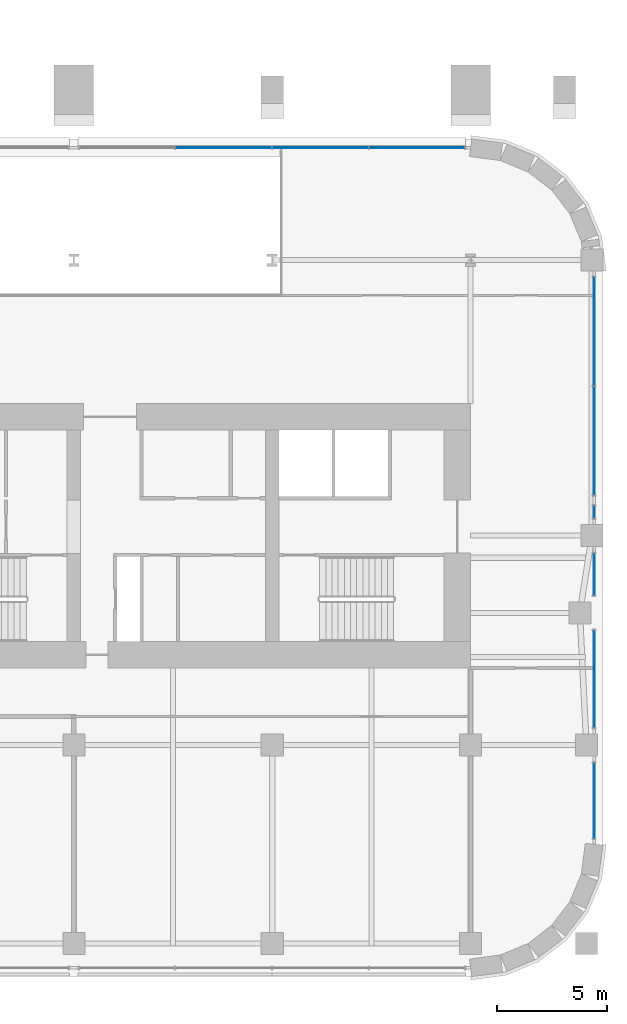
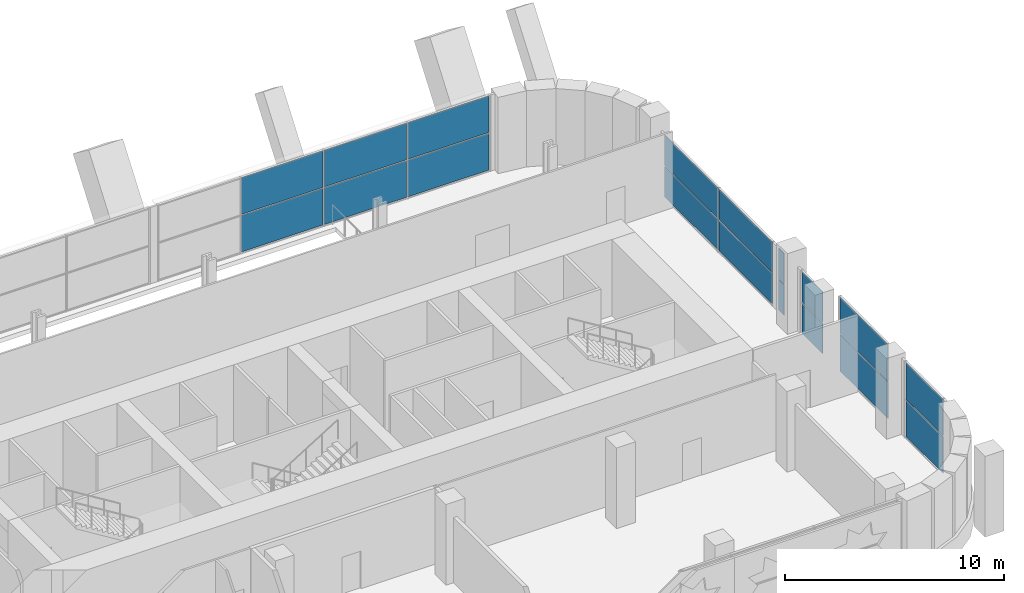
# One storey, part 12 of 21: 18 plates, 6 elements without a shape of their own.
"""IFC4 building model written with IfcOpenShell, lengths in metres."""

from ifc_helpers import new_model, si_unit, direction, frame, origin, origin_2d, place, context, subcontext, project, spatial, rectangle, extrude, material, layer, layer_set, type_object, element, aggregate, save


model = new_model("IFC4")

# Units and contexts
model_context = context("Model", 3, precision=1e-05, world=origin(), true_north=direction((0.0, 1.0)))
body_context = subcontext(model_context, "Body", "Model", "MODEL_VIEW")
ifc_project = project(units=[si_unit("LENGTHUNIT", "METRE"), si_unit("AREAUNIT", "SQUARE_METRE"), si_unit("VOLUMEUNIT", "CUBIC_METRE"), si_unit("PLANEANGLEUNIT", "RADIAN"), si_unit("MASSUNIT", "GRAM", prefix="KILO")], contexts=[model_context])

# Site, building, storey
site_placement = place(None, origin())
site = spatial("IfcSite", under=ifc_project, at=site_placement, CompositionType="ELEMENT")
building_placement = place(site_placement, origin())
building = spatial("IfcBuilding", under=site, at=building_placement, Name="Zellij Exchange Tower", CompositionType="ELEMENT")
storey_placement = place(building_placement, frame((0.0, 0.0, 43.5)))
storey = spatial("IfcBuildingStorey", under=building, at=storey_placement, Name="L07", CompositionType="ELEMENT", Elevation=43.5)

# Curtain wall, plates
ifc_material_1 = material(Name="Aluminium frame, clear insulating glass", Category="aluminium")
curtain_wall_type = type_object("IfcCurtainWallType", Name="ENV-CW1 Sky-garden glazing", PredefinedType="NOTDEFINED", material=ifc_material_1)
curtain_wall_1_placement = place(storey_placement, origin())
curtain_wall_1 = element("IfcCurtainWall", 1, at=curtain_wall_1_placement, inside=storey, type_object=curtain_wall_type, Name="cw.L07.07a", PredefinedType="NOTDEFINED")
ifc_material_2 = material(Name="Insulating glass unit, clear", Category="glass")
ifc_layer = layer(ifc_material_2, 0.031982421875)
ifc_layer_set = layer_set([ifc_layer], Name="Insulating glass unit, clear")
plate_type = type_object("IfcPlateType", Name="ENV-CW1P Glazed panel 32", PredefinedType="CURTAIN_PANEL", material=ifc_layer_set)
plate_1_placement = place(storey_placement, frame((32.60009765625, -20.011962890625, 0.06005859375), z_axis=(0.0, 0.0, 1.0), x_axis=(0.0, 1.0, 0.0)))
plate_1 = element("IfcPlate", 2, at=plate_1_placement, type_object=plate_type, Name="CW1 panel 1.1", PredefinedType="CURTAIN_PANEL", context=body_context, shape_type="SweptSolid", body=[
    extrude(rectangle(XDim=3.40380859375, YDim=0.031982421875, at=origin_2d()), origin(), (0.0, 0.0, 1.0), 2.034912109375),
])
plate_2_placement = place(storey_placement, frame((32.60009765625, -20.011962890625, 2.1552734375), z_axis=(0.0, 0.0, 1.0), x_axis=(0.0, 1.0, 0.0)))
plate_2 = element("IfcPlate", 3, at=plate_2_placement, type_object=plate_type, Name="CW1 panel 1.2", PredefinedType="CURTAIN_PANEL", context=body_context, shape_type="SweptSolid", body=[
    extrude(rectangle(XDim=3.40380859375, YDim=0.031982421875, at=origin_2d()), origin(), (0.0, 0.0, 1.0), 2.034912109375),
])
aggregate(curtain_wall_1, [plate_1, plate_2])

curtain_wall_2_placement = place(storey_placement, origin())
curtain_wall_2 = element("IfcCurtainWall", 4, at=curtain_wall_2_placement, inside=storey, type_object=curtain_wall_type, Name="cw.L07.07b", PredefinedType="NOTDEFINED")
plate_3_placement = place(storey_placement, frame((32.60009765625, -14.5, 0.06005859375), z_axis=(0.0, 0.0, 1.0), x_axis=(0.0, 1.0, 0.0)))
plate_3 = element("IfcPlate", 5, at=plate_3_placement, type_object=plate_type, Name="CW1 panel 1.1", PredefinedType="CURTAIN_PANEL", context=body_context, shape_type="SweptSolid", body=[
    extrude(rectangle(XDim=4.3798828125, YDim=0.031982421875, at=origin_2d()), origin(), (0.0, 0.0, 1.0), 2.034912109375),
])
plate_4_placement = place(storey_placement, frame((32.60009765625, -14.5, 2.1552734375), z_axis=(0.0, 0.0, 1.0), x_axis=(0.0, 1.0, 0.0)))
plate_4 = element("IfcPlate", 6, at=plate_4_placement, type_object=plate_type, Name="CW1 panel 1.2", PredefinedType="CURTAIN_PANEL", context=body_context, shape_type="SweptSolid", body=[
    extrude(rectangle(XDim=4.3798828125, YDim=0.031982421875, at=origin_2d()), origin(), (0.0, 0.0, 1.0), 2.034912109375),
])
aggregate(curtain_wall_2, [plate_3, plate_4])

curtain_wall_3_placement = place(storey_placement, origin())
curtain_wall_3 = element("IfcCurtainWall", 7, at=curtain_wall_3_placement, inside=storey, type_object=curtain_wall_type, Name="cw.L07.07c", PredefinedType="NOTDEFINED")
plate_5_placement = place(storey_placement, frame((32.60009765625, -9.75, 0.06005859375), z_axis=(0.0, 0.0, 1.0), x_axis=(0.0, 1.0, 0.0)))
plate_5 = element("IfcPlate", 8, at=plate_5_placement, type_object=plate_type, Name="CW1 panel 1.1", PredefinedType="CURTAIN_PANEL", context=body_context, shape_type="SweptSolid", body=[
    extrude(rectangle(XDim=1.8798828125, YDim=0.031982421875, at=origin_2d()), origin(), (0.0, 0.0, 1.0), 1.69091796875),
])
plate_6_placement = place(storey_placement, frame((32.60009765625, -9.75, 1.810791015625), z_axis=(0.0, 0.0, 1.0), x_axis=(0.0, 1.0, 0.0)))
plate_6 = element("IfcPlate", 9, at=plate_6_placement, type_object=plate_type, Name="CW1 panel 1.2", PredefinedType="CURTAIN_PANEL", context=body_context, shape_type="SweptSolid", body=[
    extrude(rectangle(XDim=1.8798828125, YDim=0.031982421875, at=origin_2d()), origin(), (0.0, 0.0, 1.0), 1.69091796875),
])
aggregate(curtain_wall_3, [plate_5, plate_6])

curtain_wall_4_placement = place(storey_placement, origin())
curtain_wall_4 = element("IfcCurtainWall", 10, at=curtain_wall_4_placement, inside=storey, type_object=curtain_wall_type, Name="cw.L07.07d", PredefinedType="NOTDEFINED")
plate_7_placement = place(storey_placement, frame((32.60009765625, -6.927734375, 0.06005859375), z_axis=(0.0, 0.0, 1.0), x_axis=(0.0, 1.0, 0.0)))
plate_7 = element("IfcPlate", 11, at=plate_7_placement, type_object=plate_type, Name="CW1 panel 1.1", PredefinedType="CURTAIN_PANEL", context=body_context, shape_type="SweptSolid", body=[
    extrude(rectangle(XDim=0.524658203125, YDim=0.031982421875, at=origin_2d()), origin(), (0.0, 0.0, 1.0), 1.69091796875),
])
plate_8_placement = place(storey_placement, frame((32.60009765625, -6.927734375, 1.810791015625), z_axis=(0.0, 0.0, 1.0), x_axis=(0.0, 1.0, 0.0)))
plate_8 = element("IfcPlate", 12, at=plate_8_placement, type_object=plate_type, Name="CW1 panel 1.2", PredefinedType="CURTAIN_PANEL", context=body_context, shape_type="SweptSolid", body=[
    extrude(rectangle(XDim=0.524658203125, YDim=0.031982421875, at=origin_2d()), origin(), (0.0, 0.0, 1.0), 1.69091796875),
])
aggregate(curtain_wall_4, [plate_7, plate_8])

curtain_wall_5_placement = place(storey_placement, origin())
curtain_wall_5 = element("IfcCurtainWall", 13, at=curtain_wall_5_placement, inside=storey, type_object=curtain_wall_type, Name="cw.L07.07e", PredefinedType="NOTDEFINED")
plate_9_placement = place(storey_placement, frame((32.60009765625, -3.695556640625, 0.06005859375), z_axis=(0.0, 0.0, 1.0), x_axis=(0.0, 1.0, 0.0)))
plate_9 = element("IfcPlate", 14, at=plate_9_placement, type_object=plate_type, Name="CW1 panel 1.1", PredefinedType="CURTAIN_PANEL", context=body_context, shape_type="SweptSolid", body=[
    extrude(rectangle(XDim=4.899658203125, YDim=0.031982421875, at=origin_2d()), origin(), (0.0, 0.0, 1.0), 1.69091796875),
])
plate_10_placement = place(storey_placement, frame((32.60009765625, -3.695556640625, 1.810791015625), z_axis=(0.0, 0.0, 1.0), x_axis=(0.0, 1.0, 0.0)))
plate_10 = element("IfcPlate", 15, at=plate_10_placement, type_object=plate_type, Name="CW1 panel 1.2", PredefinedType="CURTAIN_PANEL", context=body_context, shape_type="SweptSolid", body=[
    extrude(rectangle(XDim=4.899658203125, YDim=0.031982421875, at=origin_2d()), origin(), (0.0, 0.0, 1.0), 1.69091796875),
])
plate_11_placement = place(storey_placement, frame((32.60009765625, 1.263916015625, 0.06005859375), z_axis=(0.0, 0.0, 1.0), x_axis=(0.0, 1.0, 0.0)))
plate_11 = element("IfcPlate", 16, at=plate_11_placement, type_object=plate_type, Name="CW1 panel 2.1", PredefinedType="CURTAIN_PANEL", context=body_context, shape_type="SweptSolid", body=[
    extrude(rectangle(XDim=4.899658203125, YDim=0.031982421875, at=origin_2d()), origin(), (0.0, 0.0, 1.0), 1.69091796875),
])
plate_12_placement = place(storey_placement, frame((32.60009765625, 1.263916015625, 1.810791015625), z_axis=(0.0, 0.0, 1.0), x_axis=(0.0, 1.0, 0.0)))
plate_12 = element("IfcPlate", 17, at=plate_12_placement, type_object=plate_type, Name="CW1 panel 2.2", PredefinedType="CURTAIN_PANEL", context=body_context, shape_type="SweptSolid", body=[
    extrude(rectangle(XDim=4.899658203125, YDim=0.031982421875, at=origin_2d()), origin(), (0.0, 0.0, 1.0), 1.69091796875),
])
aggregate(curtain_wall_5, [plate_9, plate_10, plate_11, plate_12])

curtain_wall_6_placement = place(storey_placement, origin())
curtain_wall_6 = element("IfcCurtainWall", 18, at=curtain_wall_6_placement, inside=storey, type_object=curtain_wall_type, Name="cw.L07.14a", PredefinedType="NOTDEFINED")
plate_13_placement = place(storey_placement, frame((24.56201171875, 9.60009765625, 0.06005859375), z_axis=(0.0, 0.0, 1.0), x_axis=(-1.0, 0.0, 0.0)))
plate_13 = element("IfcPlate", 19, at=plate_13_placement, type_object=plate_type, Name="CW1 panel 1.1", PredefinedType="CURTAIN_PANEL", context=body_context, shape_type="SweptSolid", body=[
    extrude(rectangle(XDim=4.303466796875, YDim=0.031982421875, at=origin_2d()), origin(), (0.0, 0.0, 1.0), 2.034912109375),
])
plate_14_placement = place(storey_placement, frame((24.56201171875, 9.60009765625, 2.1552734375), z_axis=(0.0, 0.0, 1.0), x_axis=(-1.0, 0.0, 0.0)))
plate_14 = element("IfcPlate", 20, at=plate_14_placement, type_object=plate_type, Name="CW1 panel 1.2", PredefinedType="CURTAIN_PANEL", context=body_context, shape_type="SweptSolid", body=[
    extrude(rectangle(XDim=4.303466796875, YDim=0.031982421875, at=origin_2d()), origin(), (0.0, 0.0, 1.0), 2.034912109375),
])
plate_15_placement = place(storey_placement, frame((20.18359375, 9.60009765625, 0.06005859375), z_axis=(0.0, 0.0, 1.0), x_axis=(-1.0, 0.0, 0.0)))
plate_15 = element("IfcPlate", 21, at=plate_15_placement, type_object=plate_type, Name="CW1 panel 2.1", PredefinedType="CURTAIN_PANEL", context=body_context, shape_type="SweptSolid", body=[
    extrude(rectangle(XDim=4.33349609375, YDim=0.031982421875, at=origin_2d()), origin(), (0.0, 0.0, 1.0), 2.034912109375),
])
plate_16_placement = place(storey_placement, frame((20.18359375, 9.60009765625, 2.1552734375), z_axis=(0.0, 0.0, 1.0), x_axis=(-1.0, 0.0, 0.0)))
plate_16 = element("IfcPlate", 22, at=plate_16_placement, type_object=plate_type, Name="CW1 panel 2.2", PredefinedType="CURTAIN_PANEL", context=body_context, shape_type="SweptSolid", body=[
    extrude(rectangle(XDim=4.33349609375, YDim=0.031982421875, at=origin_2d()), origin(), (0.0, 0.0, 1.0), 2.034912109375),
])
plate_17_placement = place(storey_placement, frame((15.790283203125, 9.60009765625, 0.06005859375), z_axis=(0.0, 0.0, 1.0), x_axis=(-1.0, 0.0, 0.0)))
plate_17 = element("IfcPlate", 23, at=plate_17_placement, type_object=plate_type, Name="CW1 panel 3.1", PredefinedType="CURTAIN_PANEL", context=body_context, shape_type="SweptSolid", body=[
    extrude(rectangle(XDim=4.33349609375, YDim=0.031982421875, at=origin_2d()), origin(), (0.0, 0.0, 1.0), 2.034912109375),
])
plate_18_placement = place(storey_placement, frame((15.790283203125, 9.60009765625, 2.1552734375), z_axis=(0.0, 0.0, 1.0), x_axis=(-1.0, 0.0, 0.0)))
plate_18 = element("IfcPlate", 24, at=plate_18_placement, type_object=plate_type, Name="CW1 panel 3.2", PredefinedType="CURTAIN_PANEL", context=body_context, shape_type="SweptSolid", body=[
    extrude(rectangle(XDim=4.33349609375, YDim=0.031982421875, at=origin_2d()), origin(), (0.0, 0.0, 1.0), 2.034912109375),
])
aggregate(curtain_wall_6, [plate_13, plate_14, plate_15, plate_16, plate_17, plate_18])

save(model, "model.ifc")
